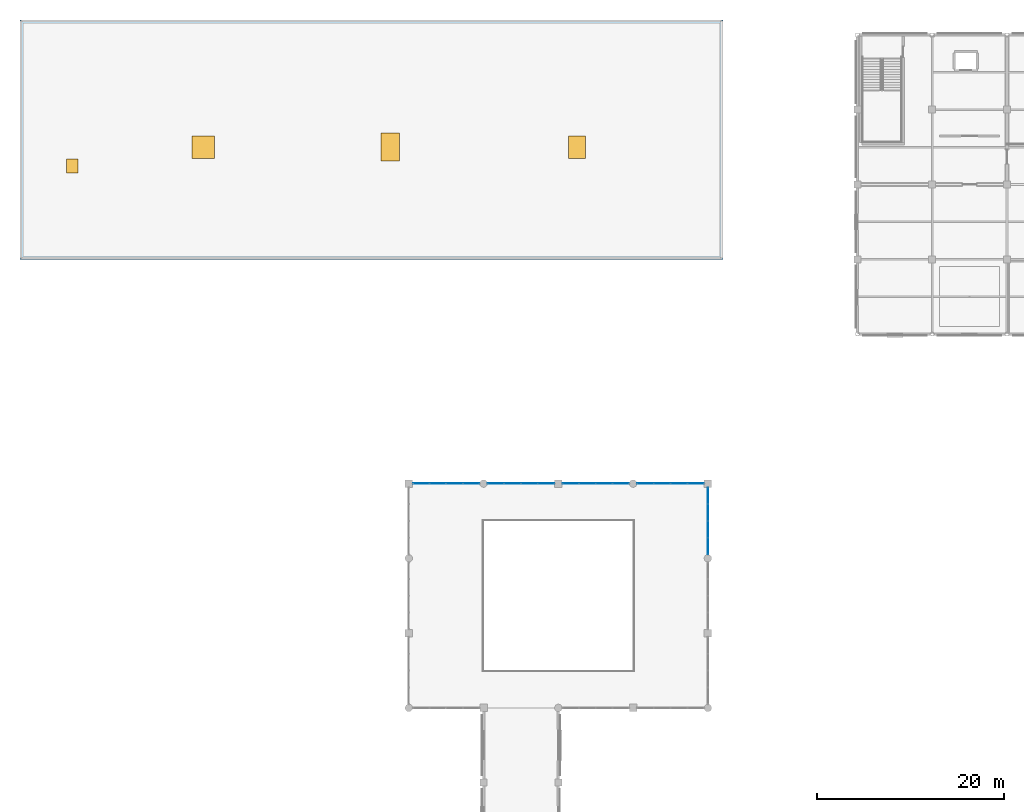
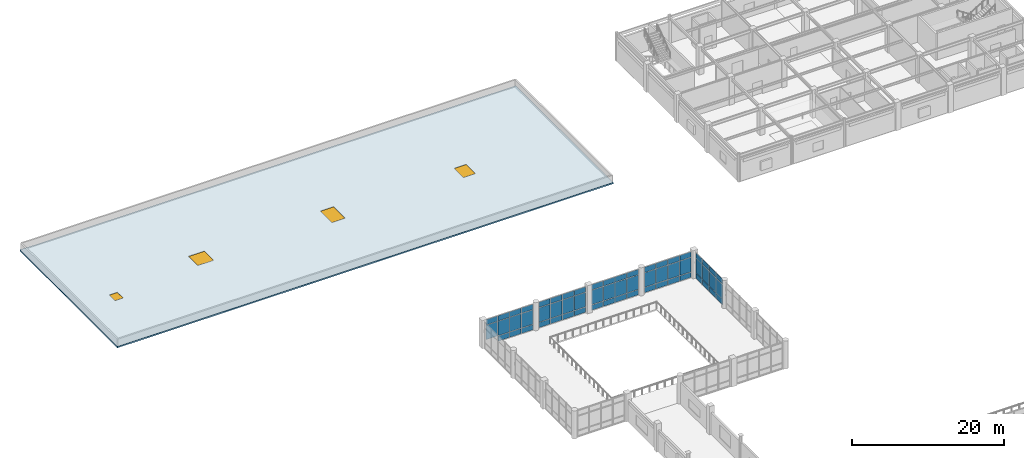
# One storey, part 29 of 42: 59 plates, 4 windows, 1 slab, 4 openings, 5 elements without a shape of their own.
"""IFC4 building model written with IfcOpenShell, lengths in metres."""

from ifc_helpers import new_model, si_unit, direction, frame, origin, origin_2d, place, context, subcontext, project, spatial, polyline, rectangle, outline, extrude, material, layer, layer_set, type_object, element, fill, aggregate, save


model = new_model("IFC4")

# Units and contexts
model_context = context("Model", 3, precision=1e-05, world=origin(), true_north=direction((0.0, 1.0)))
body_context = subcontext(model_context, "Body", "Model", "MODEL_VIEW")
ifc_project = project(units=[si_unit("LENGTHUNIT", "METRE"), si_unit("AREAUNIT", "SQUARE_METRE"), si_unit("VOLUMEUNIT", "CUBIC_METRE"), si_unit("PLANEANGLEUNIT", "RADIAN"), si_unit("MASSUNIT", "GRAM", prefix="KILO")], contexts=[model_context])

# Site, building, storey
site_placement = place(None, origin())
site = spatial("IfcSite", under=ifc_project, at=site_placement, CompositionType="ELEMENT")
building_placement = place(site_placement, origin())
building = spatial("IfcBuilding", under=site, at=building_placement, Name="Solmirada Galleria", CompositionType="ELEMENT")
storey_placement = place(building_placement, frame((0.0, 0.0, 28.39990234375)))
storey = spatial("IfcBuildingStorey", under=building, at=storey_placement, Name="L06", CompositionType="ELEMENT", Elevation=28.39990234375)

# Curtain wall, plates
ifc_material_1 = material(Name="Impact-resistant low-E double glazing", Category="glass")
curtain_wall_type = type_object("IfcCurtainWallType", Name="CW-FZ3-L06-B4-L072", PredefinedType="NOTDEFINED", material=ifc_material_1)
curtain_wall_1_placement = place(storey_placement, origin())
curtain_wall_1 = element("IfcCurtainWall", 1, at=curtain_wall_1_placement, inside=storey, type_object=curtain_wall_type, Name="Terrace and arcade storefront CW-L06-189", PredefinedType="NOTDEFINED")
ifc_layer_1 = layer(ifc_material_1, 0.02392578125)
ifc_layer_set_1 = layer_set([ifc_layer_1], Name="Impact-resistant low-E double glazing")
plate_type = type_object("IfcPlateType", Name="CW-PNL-CW38-T24", PredefinedType="CURTAIN_PANEL", material=ifc_layer_set_1)
plate_1_placement = place(storey_placement, frame((81.31640625, 72.0, 0.9501953125), z_axis=(0.0, 0.0, 1.0), x_axis=(1.0, 0.0, 0.0)))
plate_1 = element("IfcPlate", 2, at=plate_1_placement, type_object=plate_type, Name="CW38 panel 1.2", PredefinedType="CURTAIN_PANEL", context=body_context, shape_type="SweptSolid", body=[
    extrude(rectangle(XDim=1.708984375, YDim=0.02392578125, at=origin_2d()), origin(), (0.0, 0.0, 1.0), 2.300048828125),
])
plate_2_placement = place(storey_placement, frame((81.31640625, 72.0, 3.31005859375), z_axis=(0.0, 0.0, 1.0), x_axis=(1.0, 0.0, 0.0)))
plate_2 = element("IfcPlate", 3, at=plate_2_placement, type_object=plate_type, Name="CW38 panel 1.3", PredefinedType="CURTAIN_PANEL", context=body_context, shape_type="SweptSolid", body=[
    extrude(rectangle(XDim=1.708984375, YDim=0.02392578125, at=origin_2d()), origin(), (0.0, 0.0, 1.0), 0.85009765625),
])
plate_3_placement = place(storey_placement, frame((83.1005859375, 72.0, 0.06005859375), z_axis=(0.0, 0.0, 1.0), x_axis=(1.0, 0.0, 0.0)))
plate_3 = element("IfcPlate", 4, at=plate_3_placement, type_object=plate_type, Name="CW38 panel 2.1", PredefinedType="CURTAIN_PANEL", context=body_context, shape_type="SweptSolid", body=[
    extrude(rectangle(XDim=1.739013671875, YDim=0.02392578125, at=origin_2d()), origin(), (0.0, 0.0, 1.0), 0.830078125),
])
plate_4_placement = place(storey_placement, frame((83.1005859375, 72.0, 0.9501953125), z_axis=(0.0, 0.0, 1.0), x_axis=(1.0, 0.0, 0.0)))
plate_4 = element("IfcPlate", 5, at=plate_4_placement, type_object=plate_type, Name="CW38 panel 2.2", PredefinedType="CURTAIN_PANEL", context=body_context, shape_type="SweptSolid", body=[
    extrude(rectangle(XDim=1.739013671875, YDim=0.02392578125, at=origin_2d()), origin(), (0.0, 0.0, 1.0), 2.300048828125),
])
plate_5_placement = place(storey_placement, frame((83.1005859375, 72.0, 3.31005859375), z_axis=(0.0, 0.0, 1.0), x_axis=(1.0, 0.0, 0.0)))
plate_5 = element("IfcPlate", 6, at=plate_5_placement, type_object=plate_type, Name="CW38 panel 2.3", PredefinedType="CURTAIN_PANEL", context=body_context, shape_type="SweptSolid", body=[
    extrude(rectangle(XDim=1.739013671875, YDim=0.02392578125, at=origin_2d()), origin(), (0.0, 0.0, 1.0), 0.85009765625),
])
plate_6_placement = place(storey_placement, frame((84.8994140625, 72.0, 0.06005859375), z_axis=(0.0, 0.0, 1.0), x_axis=(1.0, 0.0, 0.0)))
plate_6 = element("IfcPlate", 7, at=plate_6_placement, type_object=plate_type, Name="CW38 panel 3.1", PredefinedType="CURTAIN_PANEL", context=body_context, shape_type="SweptSolid", body=[
    extrude(rectangle(XDim=1.739013671875, YDim=0.02392578125, at=origin_2d()), origin(), (0.0, 0.0, 1.0), 0.830078125),
])
plate_7_placement = place(storey_placement, frame((84.8994140625, 72.0, 0.9501953125), z_axis=(0.0, 0.0, 1.0), x_axis=(1.0, 0.0, 0.0)))
plate_7 = element("IfcPlate", 8, at=plate_7_placement, type_object=plate_type, Name="CW38 panel 3.2", PredefinedType="CURTAIN_PANEL", context=body_context, shape_type="SweptSolid", body=[
    extrude(rectangle(XDim=1.739013671875, YDim=0.02392578125, at=origin_2d()), origin(), (0.0, 0.0, 1.0), 2.300048828125),
])
plate_8_placement = place(storey_placement, frame((84.8994140625, 72.0, 3.31005859375), z_axis=(0.0, 0.0, 1.0), x_axis=(1.0, 0.0, 0.0)))
plate_8 = element("IfcPlate", 9, at=plate_8_placement, type_object=plate_type, Name="CW38 panel 3.3", PredefinedType="CURTAIN_PANEL", context=body_context, shape_type="SweptSolid", body=[
    extrude(rectangle(XDim=1.739013671875, YDim=0.02392578125, at=origin_2d()), origin(), (0.0, 0.0, 1.0), 0.85009765625),
])
plate_9_placement = place(storey_placement, frame((86.68359375, 72.0, 0.06005859375), z_axis=(0.0, 0.0, 1.0), x_axis=(1.0, 0.0, 0.0)))
plate_9 = element("IfcPlate", 10, at=plate_9_placement, type_object=plate_type, Name="CW38 panel 4.1", PredefinedType="CURTAIN_PANEL", context=body_context, shape_type="SweptSolid", body=[
    extrude(rectangle(XDim=1.708984375, YDim=0.02392578125, at=origin_2d()), origin(), (0.0, 0.0, 1.0), 0.830078125),
])
plate_10_placement = place(storey_placement, frame((86.68359375, 72.0, 0.9501953125), z_axis=(0.0, 0.0, 1.0), x_axis=(1.0, 0.0, 0.0)))
plate_10 = element("IfcPlate", 11, at=plate_10_placement, type_object=plate_type, Name="CW38 panel 4.2", PredefinedType="CURTAIN_PANEL", context=body_context, shape_type="SweptSolid", body=[
    extrude(rectangle(XDim=1.708984375, YDim=0.02392578125, at=origin_2d()), origin(), (0.0, 0.0, 1.0), 2.300048828125),
])
plate_11_placement = place(storey_placement, frame((86.68359375, 72.0, 3.31005859375), z_axis=(0.0, 0.0, 1.0), x_axis=(1.0, 0.0, 0.0)))
plate_11 = element("IfcPlate", 12, at=plate_11_placement, type_object=plate_type, Name="CW38 panel 4.3", PredefinedType="CURTAIN_PANEL", context=body_context, shape_type="SweptSolid", body=[
    extrude(rectangle(XDim=1.708984375, YDim=0.02392578125, at=origin_2d()), origin(), (0.0, 0.0, 1.0), 0.85009765625),
])
aggregate(curtain_wall_1, [plate_1, plate_2, plate_3, plate_4, plate_5, plate_6, plate_7, plate_8, plate_9, plate_10, plate_11])

curtain_wall_2_placement = place(storey_placement, origin())
curtain_wall_2 = element("IfcCurtainWall", 13, at=curtain_wall_2_placement, inside=storey, type_object=curtain_wall_type, Name="Terrace and arcade storefront CW-L06-190", PredefinedType="NOTDEFINED")
plate_12_placement = place(storey_placement, frame((89.31640625, 72.0, 0.06005859375), z_axis=(0.0, 0.0, 1.0), x_axis=(1.0, 0.0, 0.0)))
plate_12 = element("IfcPlate", 14, at=plate_12_placement, type_object=plate_type, Name="CW38 panel 1.1", PredefinedType="CURTAIN_PANEL", context=body_context, shape_type="SweptSolid", body=[
    extrude(rectangle(XDim=1.708984375, YDim=0.02392578125, at=origin_2d()), origin(), (0.0, 0.0, 1.0), 0.830078125),
])
plate_13_placement = place(storey_placement, frame((89.31640625, 72.0, 0.9501953125), z_axis=(0.0, 0.0, 1.0), x_axis=(1.0, 0.0, 0.0)))
plate_13 = element("IfcPlate", 15, at=plate_13_placement, type_object=plate_type, Name="CW38 panel 1.2", PredefinedType="CURTAIN_PANEL", context=body_context, shape_type="SweptSolid", body=[
    extrude(rectangle(XDim=1.708984375, YDim=0.02392578125, at=origin_2d()), origin(), (0.0, 0.0, 1.0), 2.300048828125),
])
plate_14_placement = place(storey_placement, frame((89.31640625, 72.0, 3.31005859375), z_axis=(0.0, 0.0, 1.0), x_axis=(1.0, 0.0, 0.0)))
plate_14 = element("IfcPlate", 16, at=plate_14_placement, type_object=plate_type, Name="CW38 panel 1.3", PredefinedType="CURTAIN_PANEL", context=body_context, shape_type="SweptSolid", body=[
    extrude(rectangle(XDim=1.708984375, YDim=0.02392578125, at=origin_2d()), origin(), (0.0, 0.0, 1.0), 0.85009765625),
])
plate_15_placement = place(storey_placement, frame((91.1005859375, 72.0, 0.06005859375), z_axis=(0.0, 0.0, 1.0), x_axis=(1.0, 0.0, 0.0)))
plate_15 = element("IfcPlate", 17, at=plate_15_placement, type_object=plate_type, Name="CW38 panel 2.1", PredefinedType="CURTAIN_PANEL", context=body_context, shape_type="SweptSolid", body=[
    extrude(rectangle(XDim=1.739013671875, YDim=0.02392578125, at=origin_2d()), origin(), (0.0, 0.0, 1.0), 0.830078125),
])
plate_16_placement = place(storey_placement, frame((91.1005859375, 72.0, 0.9501953125), z_axis=(0.0, 0.0, 1.0), x_axis=(1.0, 0.0, 0.0)))
plate_16 = element("IfcPlate", 18, at=plate_16_placement, type_object=plate_type, Name="CW38 panel 2.2", PredefinedType="CURTAIN_PANEL", context=body_context, shape_type="SweptSolid", body=[
    extrude(rectangle(XDim=1.739013671875, YDim=0.02392578125, at=origin_2d()), origin(), (0.0, 0.0, 1.0), 2.300048828125),
])
plate_17_placement = place(storey_placement, frame((91.1005859375, 72.0, 3.31005859375), z_axis=(0.0, 0.0, 1.0), x_axis=(1.0, 0.0, 0.0)))
plate_17 = element("IfcPlate", 19, at=plate_17_placement, type_object=plate_type, Name="CW38 panel 2.3", PredefinedType="CURTAIN_PANEL", context=body_context, shape_type="SweptSolid", body=[
    extrude(rectangle(XDim=1.739013671875, YDim=0.02392578125, at=origin_2d()), origin(), (0.0, 0.0, 1.0), 0.85009765625),
])
plate_18_placement = place(storey_placement, frame((92.8994140625, 72.0, 0.06005859375), z_axis=(0.0, 0.0, 1.0), x_axis=(1.0, 0.0, 0.0)))
plate_18 = element("IfcPlate", 20, at=plate_18_placement, type_object=plate_type, Name="CW38 panel 3.1", PredefinedType="CURTAIN_PANEL", context=body_context, shape_type="SweptSolid", body=[
    extrude(rectangle(XDim=1.739013671875, YDim=0.02392578125, at=origin_2d()), origin(), (0.0, 0.0, 1.0), 0.830078125),
])
plate_19_placement = place(storey_placement, frame((92.8994140625, 72.0, 0.9501953125), z_axis=(0.0, 0.0, 1.0), x_axis=(1.0, 0.0, 0.0)))
plate_19 = element("IfcPlate", 21, at=plate_19_placement, type_object=plate_type, Name="CW38 panel 3.2", PredefinedType="CURTAIN_PANEL", context=body_context, shape_type="SweptSolid", body=[
    extrude(rectangle(XDim=1.739013671875, YDim=0.02392578125, at=origin_2d()), origin(), (0.0, 0.0, 1.0), 2.300048828125),
])
plate_20_placement = place(storey_placement, frame((92.8994140625, 72.0, 3.31005859375), z_axis=(0.0, 0.0, 1.0), x_axis=(1.0, 0.0, 0.0)))
plate_20 = element("IfcPlate", 22, at=plate_20_placement, type_object=plate_type, Name="CW38 panel 3.3", PredefinedType="CURTAIN_PANEL", context=body_context, shape_type="SweptSolid", body=[
    extrude(rectangle(XDim=1.739013671875, YDim=0.02392578125, at=origin_2d()), origin(), (0.0, 0.0, 1.0), 0.85009765625),
])
plate_21_placement = place(storey_placement, frame((94.68359375, 72.0, 0.06005859375), z_axis=(0.0, 0.0, 1.0), x_axis=(1.0, 0.0, 0.0)))
plate_21 = element("IfcPlate", 23, at=plate_21_placement, type_object=plate_type, Name="CW38 panel 4.1", PredefinedType="CURTAIN_PANEL", context=body_context, shape_type="SweptSolid", body=[
    extrude(rectangle(XDim=1.708984375, YDim=0.02392578125, at=origin_2d()), origin(), (0.0, 0.0, 1.0), 0.830078125),
])
plate_22_placement = place(storey_placement, frame((94.68359375, 72.0, 0.9501953125), z_axis=(0.0, 0.0, 1.0), x_axis=(1.0, 0.0, 0.0)))
plate_22 = element("IfcPlate", 24, at=plate_22_placement, type_object=plate_type, Name="CW38 panel 4.2", PredefinedType="CURTAIN_PANEL", context=body_context, shape_type="SweptSolid", body=[
    extrude(rectangle(XDim=1.708984375, YDim=0.02392578125, at=origin_2d()), origin(), (0.0, 0.0, 1.0), 2.300048828125),
])
plate_23_placement = place(storey_placement, frame((94.68359375, 72.0, 3.31005859375), z_axis=(0.0, 0.0, 1.0), x_axis=(1.0, 0.0, 0.0)))
plate_23 = element("IfcPlate", 25, at=plate_23_placement, type_object=plate_type, Name="CW38 panel 4.3", PredefinedType="CURTAIN_PANEL", context=body_context, shape_type="SweptSolid", body=[
    extrude(rectangle(XDim=1.708984375, YDim=0.02392578125, at=origin_2d()), origin(), (0.0, 0.0, 1.0), 0.85009765625),
])
aggregate(curtain_wall_2, [plate_12, plate_13, plate_14, plate_15, plate_16, plate_17, plate_18, plate_19, plate_20, plate_21, plate_22, plate_23])

curtain_wall_3_placement = place(storey_placement, origin())
curtain_wall_3 = element("IfcCurtainWall", 26, at=curtain_wall_3_placement, inside=storey, type_object=curtain_wall_type, Name="Terrace and arcade storefront CW-L06-191", PredefinedType="NOTDEFINED")
plate_24_placement = place(storey_placement, frame((97.31640625, 72.0, 0.06005859375), z_axis=(0.0, 0.0, 1.0), x_axis=(1.0, 0.0, 0.0)))
plate_24 = element("IfcPlate", 27, at=plate_24_placement, type_object=plate_type, Name="CW38 panel 1.1", PredefinedType="CURTAIN_PANEL", context=body_context, shape_type="SweptSolid", body=[
    extrude(rectangle(XDim=1.708984375, YDim=0.02392578125, at=origin_2d()), origin(), (0.0, 0.0, 1.0), 0.830078125),
])
plate_25_placement = place(storey_placement, frame((97.31640625, 72.0, 0.9501953125), z_axis=(0.0, 0.0, 1.0), x_axis=(1.0, 0.0, 0.0)))
plate_25 = element("IfcPlate", 28, at=plate_25_placement, type_object=plate_type, Name="CW38 panel 1.2", PredefinedType="CURTAIN_PANEL", context=body_context, shape_type="SweptSolid", body=[
    extrude(rectangle(XDim=1.708984375, YDim=0.02392578125, at=origin_2d()), origin(), (0.0, 0.0, 1.0), 2.300048828125),
])
plate_26_placement = place(storey_placement, frame((97.31640625, 72.0, 3.31005859375), z_axis=(0.0, 0.0, 1.0), x_axis=(1.0, 0.0, 0.0)))
plate_26 = element("IfcPlate", 29, at=plate_26_placement, type_object=plate_type, Name="CW38 panel 1.3", PredefinedType="CURTAIN_PANEL", context=body_context, shape_type="SweptSolid", body=[
    extrude(rectangle(XDim=1.708984375, YDim=0.02392578125, at=origin_2d()), origin(), (0.0, 0.0, 1.0), 0.85009765625),
])
plate_27_placement = place(storey_placement, frame((99.1005859375, 72.0, 0.06005859375), z_axis=(0.0, 0.0, 1.0), x_axis=(1.0, 0.0, 0.0)))
plate_27 = element("IfcPlate", 30, at=plate_27_placement, type_object=plate_type, Name="CW38 panel 2.1", PredefinedType="CURTAIN_PANEL", context=body_context, shape_type="SweptSolid", body=[
    extrude(rectangle(XDim=1.739013671875, YDim=0.02392578125, at=origin_2d()), origin(), (0.0, 0.0, 1.0), 0.830078125),
])
plate_28_placement = place(storey_placement, frame((99.1005859375, 72.0, 0.9501953125), z_axis=(0.0, 0.0, 1.0), x_axis=(1.0, 0.0, 0.0)))
plate_28 = element("IfcPlate", 31, at=plate_28_placement, type_object=plate_type, Name="CW38 panel 2.2", PredefinedType="CURTAIN_PANEL", context=body_context, shape_type="SweptSolid", body=[
    extrude(rectangle(XDim=1.739013671875, YDim=0.02392578125, at=origin_2d()), origin(), (0.0, 0.0, 1.0), 2.300048828125),
])
plate_29_placement = place(storey_placement, frame((99.1005859375, 72.0, 3.31005859375), z_axis=(0.0, 0.0, 1.0), x_axis=(1.0, 0.0, 0.0)))
plate_29 = element("IfcPlate", 32, at=plate_29_placement, type_object=plate_type, Name="CW38 panel 2.3", PredefinedType="CURTAIN_PANEL", context=body_context, shape_type="SweptSolid", body=[
    extrude(rectangle(XDim=1.739013671875, YDim=0.02392578125, at=origin_2d()), origin(), (0.0, 0.0, 1.0), 0.85009765625),
])
plate_30_placement = place(storey_placement, frame((100.8994140625, 72.0, 0.06005859375), z_axis=(0.0, 0.0, 1.0), x_axis=(1.0, 0.0, 0.0)))
plate_30 = element("IfcPlate", 33, at=plate_30_placement, type_object=plate_type, Name="CW38 panel 3.1", PredefinedType="CURTAIN_PANEL", context=body_context, shape_type="SweptSolid", body=[
    extrude(rectangle(XDim=1.739013671875, YDim=0.02392578125, at=origin_2d()), origin(), (0.0, 0.0, 1.0), 0.830078125),
])
plate_31_placement = place(storey_placement, frame((100.8994140625, 72.0, 0.9501953125), z_axis=(0.0, 0.0, 1.0), x_axis=(1.0, 0.0, 0.0)))
plate_31 = element("IfcPlate", 34, at=plate_31_placement, type_object=plate_type, Name="CW38 panel 3.2", PredefinedType="CURTAIN_PANEL", context=body_context, shape_type="SweptSolid", body=[
    extrude(rectangle(XDim=1.739013671875, YDim=0.02392578125, at=origin_2d()), origin(), (0.0, 0.0, 1.0), 2.300048828125),
])
plate_32_placement = place(storey_placement, frame((100.8994140625, 72.0, 3.31005859375), z_axis=(0.0, 0.0, 1.0), x_axis=(1.0, 0.0, 0.0)))
plate_32 = element("IfcPlate", 35, at=plate_32_placement, type_object=plate_type, Name="CW38 panel 3.3", PredefinedType="CURTAIN_PANEL", context=body_context, shape_type="SweptSolid", body=[
    extrude(rectangle(XDim=1.739013671875, YDim=0.02392578125, at=origin_2d()), origin(), (0.0, 0.0, 1.0), 0.85009765625),
])
plate_33_placement = place(storey_placement, frame((102.68359375, 72.0, 0.06005859375), z_axis=(0.0, 0.0, 1.0), x_axis=(1.0, 0.0, 0.0)))
plate_33 = element("IfcPlate", 36, at=plate_33_placement, type_object=plate_type, Name="CW38 panel 4.1", PredefinedType="CURTAIN_PANEL", context=body_context, shape_type="SweptSolid", body=[
    extrude(rectangle(XDim=1.708984375, YDim=0.02392578125, at=origin_2d()), origin(), (0.0, 0.0, 1.0), 0.830078125),
])
plate_34_placement = place(storey_placement, frame((102.68359375, 72.0, 0.9501953125), z_axis=(0.0, 0.0, 1.0), x_axis=(1.0, 0.0, 0.0)))
plate_34 = element("IfcPlate", 37, at=plate_34_placement, type_object=plate_type, Name="CW38 panel 4.2", PredefinedType="CURTAIN_PANEL", context=body_context, shape_type="SweptSolid", body=[
    extrude(rectangle(XDim=1.708984375, YDim=0.02392578125, at=origin_2d()), origin(), (0.0, 0.0, 1.0), 2.300048828125),
])
plate_35_placement = place(storey_placement, frame((102.68359375, 72.0, 3.31005859375), z_axis=(0.0, 0.0, 1.0), x_axis=(1.0, 0.0, 0.0)))
plate_35 = element("IfcPlate", 38, at=plate_35_placement, type_object=plate_type, Name="CW38 panel 4.3", PredefinedType="CURTAIN_PANEL", context=body_context, shape_type="SweptSolid", body=[
    extrude(rectangle(XDim=1.708984375, YDim=0.02392578125, at=origin_2d()), origin(), (0.0, 0.0, 1.0), 0.85009765625),
])
aggregate(curtain_wall_3, [plate_24, plate_25, plate_26, plate_27, plate_28, plate_29, plate_30, plate_31, plate_32, plate_33, plate_34, plate_35])

curtain_wall_4_placement = place(storey_placement, origin())
curtain_wall_4 = element("IfcCurtainWall", 39, at=curtain_wall_4_placement, inside=storey, type_object=curtain_wall_type, Name="Terrace and arcade storefront CW-L06-192", PredefinedType="NOTDEFINED")
plate_36_placement = place(storey_placement, frame((105.31640625, 72.0, 0.06005859375), z_axis=(0.0, 0.0, 1.0), x_axis=(1.0, 0.0, 0.0)))
plate_36 = element("IfcPlate", 40, at=plate_36_placement, type_object=plate_type, Name="CW38 panel 1.1", PredefinedType="CURTAIN_PANEL", context=body_context, shape_type="SweptSolid", body=[
    extrude(rectangle(XDim=1.708984375, YDim=0.02392578125, at=origin_2d()), origin(), (0.0, 0.0, 1.0), 0.830078125),
])
plate_37_placement = place(storey_placement, frame((105.31640625, 72.0, 0.9501953125), z_axis=(0.0, 0.0, 1.0), x_axis=(1.0, 0.0, 0.0)))
plate_37 = element("IfcPlate", 41, at=plate_37_placement, type_object=plate_type, Name="CW38 panel 1.2", PredefinedType="CURTAIN_PANEL", context=body_context, shape_type="SweptSolid", body=[
    extrude(rectangle(XDim=1.708984375, YDim=0.02392578125, at=origin_2d()), origin(), (0.0, 0.0, 1.0), 2.300048828125),
])
plate_38_placement = place(storey_placement, frame((105.31640625, 72.0, 3.31005859375), z_axis=(0.0, 0.0, 1.0), x_axis=(1.0, 0.0, 0.0)))
plate_38 = element("IfcPlate", 42, at=plate_38_placement, type_object=plate_type, Name="CW38 panel 1.3", PredefinedType="CURTAIN_PANEL", context=body_context, shape_type="SweptSolid", body=[
    extrude(rectangle(XDim=1.708984375, YDim=0.02392578125, at=origin_2d()), origin(), (0.0, 0.0, 1.0), 0.85009765625),
])
plate_39_placement = place(storey_placement, frame((107.1005859375, 72.0, 0.06005859375), z_axis=(0.0, 0.0, 1.0), x_axis=(1.0, 0.0, 0.0)))
plate_39 = element("IfcPlate", 43, at=plate_39_placement, type_object=plate_type, Name="CW38 panel 2.1", PredefinedType="CURTAIN_PANEL", context=body_context, shape_type="SweptSolid", body=[
    extrude(rectangle(XDim=1.739013671875, YDim=0.02392578125, at=origin_2d()), origin(), (0.0, 0.0, 1.0), 0.830078125),
])
plate_40_placement = place(storey_placement, frame((107.1005859375, 72.0, 0.9501953125), z_axis=(0.0, 0.0, 1.0), x_axis=(1.0, 0.0, 0.0)))
plate_40 = element("IfcPlate", 44, at=plate_40_placement, type_object=plate_type, Name="CW38 panel 2.2", PredefinedType="CURTAIN_PANEL", context=body_context, shape_type="SweptSolid", body=[
    extrude(rectangle(XDim=1.739013671875, YDim=0.02392578125, at=origin_2d()), origin(), (0.0, 0.0, 1.0), 2.300048828125),
])
plate_41_placement = place(storey_placement, frame((107.1005859375, 72.0, 3.31005859375), z_axis=(0.0, 0.0, 1.0), x_axis=(1.0, 0.0, 0.0)))
plate_41 = element("IfcPlate", 45, at=plate_41_placement, type_object=plate_type, Name="CW38 panel 2.3", PredefinedType="CURTAIN_PANEL", context=body_context, shape_type="SweptSolid", body=[
    extrude(rectangle(XDim=1.739013671875, YDim=0.02392578125, at=origin_2d()), origin(), (0.0, 0.0, 1.0), 0.85009765625),
])
plate_42_placement = place(storey_placement, frame((108.8994140625, 72.0, 0.06005859375), z_axis=(0.0, 0.0, 1.0), x_axis=(1.0, 0.0, 0.0)))
plate_42 = element("IfcPlate", 46, at=plate_42_placement, type_object=plate_type, Name="CW38 panel 3.1", PredefinedType="CURTAIN_PANEL", context=body_context, shape_type="SweptSolid", body=[
    extrude(rectangle(XDim=1.739013671875, YDim=0.02392578125, at=origin_2d()), origin(), (0.0, 0.0, 1.0), 0.830078125),
])
plate_43_placement = place(storey_placement, frame((108.8994140625, 72.0, 0.9501953125), z_axis=(0.0, 0.0, 1.0), x_axis=(1.0, 0.0, 0.0)))
plate_43 = element("IfcPlate", 47, at=plate_43_placement, type_object=plate_type, Name="CW38 panel 3.2", PredefinedType="CURTAIN_PANEL", context=body_context, shape_type="SweptSolid", body=[
    extrude(rectangle(XDim=1.739013671875, YDim=0.02392578125, at=origin_2d()), origin(), (0.0, 0.0, 1.0), 2.300048828125),
])
plate_44_placement = place(storey_placement, frame((108.8994140625, 72.0, 3.31005859375), z_axis=(0.0, 0.0, 1.0), x_axis=(1.0, 0.0, 0.0)))
plate_44 = element("IfcPlate", 48, at=plate_44_placement, type_object=plate_type, Name="CW38 panel 3.3", PredefinedType="CURTAIN_PANEL", context=body_context, shape_type="SweptSolid", body=[
    extrude(rectangle(XDim=1.739013671875, YDim=0.02392578125, at=origin_2d()), origin(), (0.0, 0.0, 1.0), 0.85009765625),
])
plate_45_placement = place(storey_placement, frame((110.68359375, 72.0, 0.06005859375), z_axis=(0.0, 0.0, 1.0), x_axis=(1.0, 0.0, 0.0)))
plate_45 = element("IfcPlate", 49, at=plate_45_placement, type_object=plate_type, Name="CW38 panel 4.1", PredefinedType="CURTAIN_PANEL", context=body_context, shape_type="SweptSolid", body=[
    extrude(rectangle(XDim=1.708984375, YDim=0.02392578125, at=origin_2d()), origin(), (0.0, 0.0, 1.0), 0.830078125),
])
plate_46_placement = place(storey_placement, frame((110.68359375, 72.0, 0.9501953125), z_axis=(0.0, 0.0, 1.0), x_axis=(1.0, 0.0, 0.0)))
plate_46 = element("IfcPlate", 50, at=plate_46_placement, type_object=plate_type, Name="CW38 panel 4.2", PredefinedType="CURTAIN_PANEL", context=body_context, shape_type="SweptSolid", body=[
    extrude(rectangle(XDim=1.708984375, YDim=0.02392578125, at=origin_2d()), origin(), (0.0, 0.0, 1.0), 2.300048828125),
])
plate_47_placement = place(storey_placement, frame((110.68359375, 72.0, 3.31005859375), z_axis=(0.0, 0.0, 1.0), x_axis=(1.0, 0.0, 0.0)))
plate_47 = element("IfcPlate", 51, at=plate_47_placement, type_object=plate_type, Name="CW38 panel 4.3", PredefinedType="CURTAIN_PANEL", context=body_context, shape_type="SweptSolid", body=[
    extrude(rectangle(XDim=1.708984375, YDim=0.02392578125, at=origin_2d()), origin(), (0.0, 0.0, 1.0), 0.85009765625),
])
aggregate(curtain_wall_4, [plate_36, plate_37, plate_38, plate_39, plate_40, plate_41, plate_42, plate_43, plate_44, plate_45, plate_46, plate_47])

curtain_wall_5_placement = place(storey_placement, origin())
curtain_wall_5 = element("IfcCurtainWall", 52, at=curtain_wall_5_placement, inside=storey, type_object=curtain_wall_type, Name="Terrace and arcade storefront CW-L06-193", PredefinedType="NOTDEFINED")
plate_48_placement = place(storey_placement, frame((112.0, 70.68359375, 0.06005859375), z_axis=(0.0, 0.0, 1.0), x_axis=(0.0, -1.0, 0.0)))
plate_48 = element("IfcPlate", 53, at=plate_48_placement, type_object=plate_type, Name="CW38 panel 1.1", PredefinedType="CURTAIN_PANEL", context=body_context, shape_type="SweptSolid", body=[
    extrude(rectangle(XDim=1.708984375, YDim=0.02392578125, at=origin_2d()), origin(), (0.0, 0.0, 1.0), 0.830078125),
])
plate_49_placement = place(storey_placement, frame((112.0, 70.68359375, 0.9501953125), z_axis=(0.0, 0.0, 1.0), x_axis=(0.0, -1.0, 0.0)))
plate_49 = element("IfcPlate", 54, at=plate_49_placement, type_object=plate_type, Name="CW38 panel 1.2", PredefinedType="CURTAIN_PANEL", context=body_context, shape_type="SweptSolid", body=[
    extrude(rectangle(XDim=1.708984375, YDim=0.02392578125, at=origin_2d()), origin(), (0.0, 0.0, 1.0), 2.300048828125),
])
plate_50_placement = place(storey_placement, frame((112.0, 70.68359375, 3.31005859375), z_axis=(0.0, 0.0, 1.0), x_axis=(0.0, -1.0, 0.0)))
plate_50 = element("IfcPlate", 55, at=plate_50_placement, type_object=plate_type, Name="CW38 panel 1.3", PredefinedType="CURTAIN_PANEL", context=body_context, shape_type="SweptSolid", body=[
    extrude(rectangle(XDim=1.708984375, YDim=0.02392578125, at=origin_2d()), origin(), (0.0, 0.0, 1.0), 0.85009765625),
])
plate_51_placement = place(storey_placement, frame((112.0, 68.8994140625, 0.06005859375), z_axis=(0.0, 0.0, 1.0), x_axis=(0.0, -1.0, 0.0)))
plate_51 = element("IfcPlate", 56, at=plate_51_placement, type_object=plate_type, Name="CW38 panel 2.1", PredefinedType="CURTAIN_PANEL", context=body_context, shape_type="SweptSolid", body=[
    extrude(rectangle(XDim=1.739013671875, YDim=0.02392578125, at=origin_2d()), origin(), (0.0, 0.0, 1.0), 0.830078125),
])
plate_52_placement = place(storey_placement, frame((112.0, 68.8994140625, 0.9501953125), z_axis=(0.0, 0.0, 1.0), x_axis=(0.0, -1.0, 0.0)))
plate_52 = element("IfcPlate", 57, at=plate_52_placement, type_object=plate_type, Name="CW38 panel 2.2", PredefinedType="CURTAIN_PANEL", context=body_context, shape_type="SweptSolid", body=[
    extrude(rectangle(XDim=1.739013671875, YDim=0.02392578125, at=origin_2d()), origin(), (0.0, 0.0, 1.0), 2.300048828125),
])
plate_53_placement = place(storey_placement, frame((112.0, 68.8994140625, 3.31005859375), z_axis=(0.0, 0.0, 1.0), x_axis=(0.0, -1.0, 0.0)))
plate_53 = element("IfcPlate", 58, at=plate_53_placement, type_object=plate_type, Name="CW38 panel 2.3", PredefinedType="CURTAIN_PANEL", context=body_context, shape_type="SweptSolid", body=[
    extrude(rectangle(XDim=1.739013671875, YDim=0.02392578125, at=origin_2d()), origin(), (0.0, 0.0, 1.0), 0.85009765625),
])
plate_54_placement = place(storey_placement, frame((112.0, 67.1005859375, 0.06005859375), z_axis=(0.0, 0.0, 1.0), x_axis=(0.0, -1.0, 0.0)))
plate_54 = element("IfcPlate", 59, at=plate_54_placement, type_object=plate_type, Name="CW38 panel 3.1", PredefinedType="CURTAIN_PANEL", context=body_context, shape_type="SweptSolid", body=[
    extrude(rectangle(XDim=1.739013671875, YDim=0.02392578125, at=origin_2d()), origin(), (0.0, 0.0, 1.0), 0.830078125),
])
plate_55_placement = place(storey_placement, frame((112.0, 67.1005859375, 0.9501953125), z_axis=(0.0, 0.0, 1.0), x_axis=(0.0, -1.0, 0.0)))
plate_55 = element("IfcPlate", 60, at=plate_55_placement, type_object=plate_type, Name="CW38 panel 3.2", PredefinedType="CURTAIN_PANEL", context=body_context, shape_type="SweptSolid", body=[
    extrude(rectangle(XDim=1.739013671875, YDim=0.02392578125, at=origin_2d()), origin(), (0.0, 0.0, 1.0), 2.300048828125),
])
plate_56_placement = place(storey_placement, frame((112.0, 67.1005859375, 3.31005859375), z_axis=(0.0, 0.0, 1.0), x_axis=(0.0, -1.0, 0.0)))
plate_56 = element("IfcPlate", 61, at=plate_56_placement, type_object=plate_type, Name="CW38 panel 3.3", PredefinedType="CURTAIN_PANEL", context=body_context, shape_type="SweptSolid", body=[
    extrude(rectangle(XDim=1.739013671875, YDim=0.02392578125, at=origin_2d()), origin(), (0.0, 0.0, 1.0), 0.85009765625),
])
plate_57_placement = place(storey_placement, frame((112.0, 65.31640625, 0.06005859375), z_axis=(0.0, 0.0, 1.0), x_axis=(0.0, -1.0, 0.0)))
plate_57 = element("IfcPlate", 62, at=plate_57_placement, type_object=plate_type, Name="CW38 panel 4.1", PredefinedType="CURTAIN_PANEL", context=body_context, shape_type="SweptSolid", body=[
    extrude(rectangle(XDim=1.708984375, YDim=0.02392578125, at=origin_2d()), origin(), (0.0, 0.0, 1.0), 0.830078125),
])
plate_58_placement = place(storey_placement, frame((112.0, 65.31640625, 0.9501953125), z_axis=(0.0, 0.0, 1.0), x_axis=(0.0, -1.0, 0.0)))
plate_58 = element("IfcPlate", 63, at=plate_58_placement, type_object=plate_type, Name="CW38 panel 4.2", PredefinedType="CURTAIN_PANEL", context=body_context, shape_type="SweptSolid", body=[
    extrude(rectangle(XDim=1.708984375, YDim=0.02392578125, at=origin_2d()), origin(), (0.0, 0.0, 1.0), 2.300048828125),
])
plate_59_placement = place(storey_placement, frame((112.0, 65.31640625, 3.31005859375), z_axis=(0.0, 0.0, 1.0), x_axis=(0.0, -1.0, 0.0)))
plate_59 = element("IfcPlate", 64, at=plate_59_placement, type_object=plate_type, Name="CW38 panel 4.3", PredefinedType="CURTAIN_PANEL", context=body_context, shape_type="SweptSolid", body=[
    extrude(rectangle(XDim=1.708984375, YDim=0.02392578125, at=origin_2d()), origin(), (0.0, 0.0, 1.0), 0.85009765625),
])
aggregate(curtain_wall_5, [plate_48, plate_49, plate_50, plate_51, plate_52, plate_53, plate_54, plate_55, plate_56, plate_57, plate_58, plate_59])

# Slab, openings, windows
ifc_material_2 = material(Name="Concrete C35/45", Category="concrete")
ifc_layer_2 = layer(ifc_material_2, 0.219970703125)
ifc_layer_set_2 = layer_set([ifc_layer_2], Name="Concrete C35/45")
slab_type = type_object("IfcSlabType", Name="SLB-ROOF-220", PredefinedType="ROOF", material=ifc_layer_set_2)
slab_placement = place(storey_placement, frame((0.0, 0.0, -0.219970703125)))
slab = element("IfcSlab", 65, at=slab_placement, inside=storey, type_object=slab_type, Name="North Sales Block main roof slab", PredefinedType="ROOF", context=body_context, shape_type="SweptSolid", body=[
    extrude(outline(polyline([(38.39990234375, 96.0), (113.60009765625, 96.0), (113.60009765625, 121.60009765625), (38.39990234375, 121.60009765625), (38.39990234375, 96.0)]), holes=[polyline([(56.800048828125, 106.800048828125), (59.199951171875, 106.800048828125), (59.199951171875, 109.199951171875), (56.800048828125, 109.199951171875), (56.800048828125, 106.800048828125)]), polyline([(77.0, 106.5), (79.0, 106.5), (79.0, 109.5), (77.0, 109.5), (77.0, 106.5)]), polyline([(97.10009765625, 106.800048828125), (98.89990234375, 106.800048828125), (98.89990234375, 109.199951171875), (97.10009765625, 109.199951171875), (97.10009765625, 106.800048828125)]), polyline([(43.39990234375, 105.25), (44.60009765625, 105.25), (44.60009765625, 106.75), (43.39990234375, 106.75), (43.39990234375, 105.25)])]), origin(), (0.0, 0.0, 1.0), 0.219970703125),
])
opening_1_placement = place(slab_placement, frame((58.0, 108.0, -0.010009765625)))
opening_1 = element("IfcOpeningElement", 66, at=opening_1_placement, cuts=slab, Name="Opening SKY1", PredefinedType="OPENING", context=body_context, shape_type="SweptSolid", body=[
    extrude(rectangle(XDim=2.39990234375, YDim=2.39990234375, at=origin_2d()), origin(), (0.0, 0.0, 1.0), 0.239990234375),
])
opening_2_placement = place(slab_placement, frame((78.0, 108.0, -0.010009765625)))
opening_2 = element("IfcOpeningElement", 67, at=opening_2_placement, cuts=slab, Name="Opening SKY2", PredefinedType="OPENING", context=body_context, shape_type="SweptSolid", body=[
    extrude(rectangle(XDim=2.0, YDim=3.0, at=origin_2d()), origin(), (0.0, 0.0, 1.0), 0.239990234375),
])
opening_3_placement = place(slab_placement, frame((98.0, 108.0, -0.010009765625)))
opening_3 = element("IfcOpeningElement", 68, at=opening_3_placement, cuts=slab, Name="Opening SKY3", PredefinedType="OPENING", context=body_context, shape_type="SweptSolid", body=[
    extrude(rectangle(XDim=1.800048828125, YDim=2.39990234375, at=origin_2d()), origin(), (0.0, 0.0, 1.0), 0.239990234375),
])
opening_4_placement = place(slab_placement, frame((44.0, 106.0, -0.010009765625)))
opening_4 = element("IfcOpeningElement", 69, at=opening_4_placement, cuts=slab, Name="Opening SKY5", PredefinedType="OPENING", context=body_context, shape_type="SweptSolid", body=[
    extrude(rectangle(XDim=1.199951171875, YDim=1.5, at=origin_2d()), origin(), (0.0, 0.0, 1.0), 0.239990234375),
])
window_type_1 = type_object("IfcWindowType", Name="SKY-HATCH-120X150", PartitioningType="SINGLE_PANEL", PredefinedType="SKYLIGHT", material=ifc_material_1)
window_1_placement = place(slab_placement, frame((44.0, 106.0, 0.169921875)))
window_1 = element("IfcWindow", 70, at=window_1_placement, inside=storey, type_object=window_type_1, Name="Roof skylight / access hatch ROOF-NORTH-MAIN-04", OverallHeight=1.5, OverallWidth=1.199951171875, PartitioningType="SINGLE_PANEL", PredefinedType="SKYLIGHT", context=body_context, shape_type="SweptSolid", body=[
    extrude(rectangle(XDim=1.199951171875, YDim=1.5, at=origin_2d()), origin(), (0.0, 0.0, 1.0), 0.050048828125),
])
fill(opening_4, window_1)
window_type_2 = type_object("IfcWindowType", Name="SKY-ROOF-180X240", PartitioningType="SINGLE_PANEL", PredefinedType="SKYLIGHT", material=ifc_material_1)
window_2_placement = place(slab_placement, frame((98.0, 108.0, 0.169921875)))
window_2 = element("IfcWindow", 71, at=window_2_placement, inside=storey, type_object=window_type_2, Name="Roof skylight / access hatch ROOF-NORTH-MAIN-03", OverallHeight=2.39990234375, OverallWidth=1.800048828125, PartitioningType="SINGLE_PANEL", PredefinedType="SKYLIGHT", context=body_context, shape_type="SweptSolid", body=[
    extrude(rectangle(XDim=1.800048828125, YDim=2.39990234375, at=origin_2d()), origin(), (0.0, 0.0, 1.0), 0.050048828125),
])
fill(opening_3, window_2)
window_type_3 = type_object("IfcWindowType", Name="SKY-ROOF-200X300", PartitioningType="SINGLE_PANEL", PredefinedType="SKYLIGHT", material=ifc_material_1)
window_3_placement = place(slab_placement, frame((78.0, 108.0, 0.169921875)))
window_3 = element("IfcWindow", 72, at=window_3_placement, inside=storey, type_object=window_type_3, Name="Roof skylight / access hatch ROOF-NORTH-MAIN-02", OverallHeight=3.0, OverallWidth=2.0, PartitioningType="SINGLE_PANEL", PredefinedType="SKYLIGHT", context=body_context, shape_type="SweptSolid", body=[
    extrude(rectangle(XDim=2.0, YDim=3.0, at=origin_2d()), origin(), (0.0, 0.0, 1.0), 0.050048828125),
])
fill(opening_2, window_3)
window_type_4 = type_object("IfcWindowType", Name="SKY-ROOF-240X240", PartitioningType="SINGLE_PANEL", PredefinedType="SKYLIGHT", material=ifc_material_1)
window_4_placement = place(slab_placement, frame((58.0, 108.0, 0.169921875)))
window_4 = element("IfcWindow", 73, at=window_4_placement, inside=storey, type_object=window_type_4, Name="Roof skylight / access hatch ROOF-NORTH-MAIN-01", OverallHeight=2.39990234375, OverallWidth=2.39990234375, PartitioningType="SINGLE_PANEL", PredefinedType="SKYLIGHT", context=body_context, shape_type="SweptSolid", body=[
    extrude(rectangle(XDim=2.39990234375, YDim=2.39990234375, at=origin_2d()), origin(), (0.0, 0.0, 1.0), 0.050048828125),
])
fill(opening_1, window_4)

save(model, "model.ifc")
